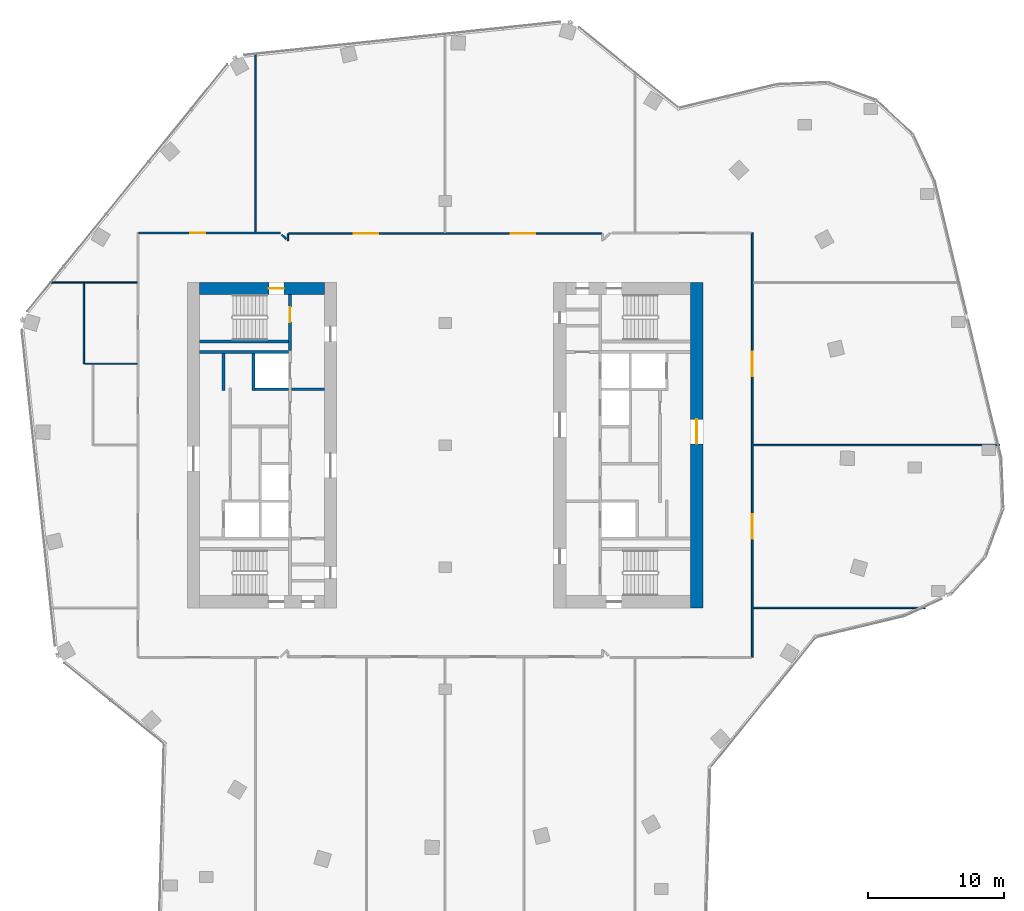
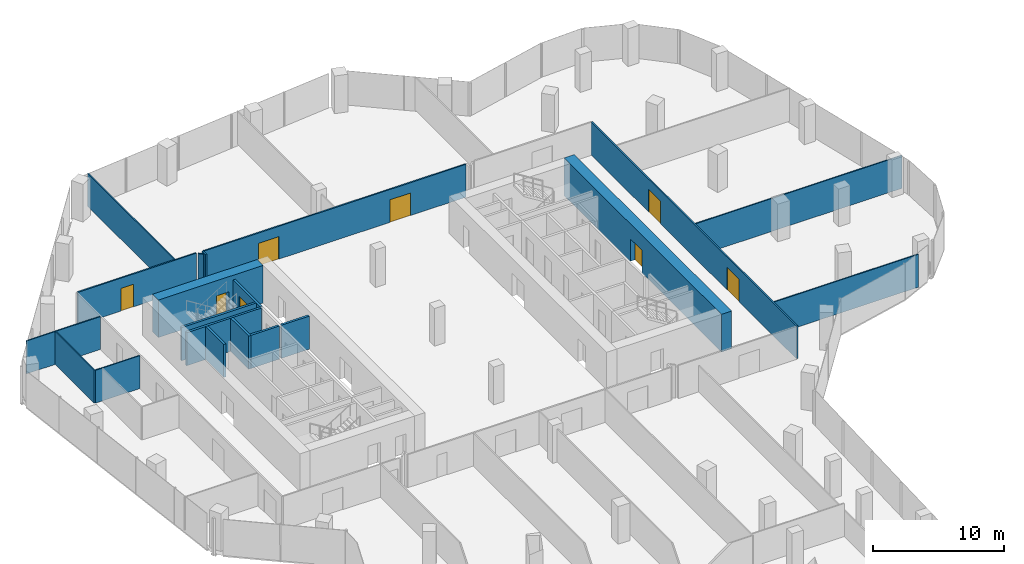
# One storey, part 22 of 26: 20 walls, 8 doors, 8 openings.
"""IFC4 building model written with IfcOpenShell, lengths in metres."""

from ifc_helpers import new_model, si_unit, direction, frame, frame_2d, origin, place, context, subcontext, project, spatial, rectangle, extrude, material, layer, layer_set, type_object, element, fill, save


model = new_model("IFC4")

# Units and contexts
model_context = context("Model", 3, precision=1e-05, world=origin(), true_north=direction((0.0, 1.0)))
body_context = subcontext(model_context, "Body", "Model", "MODEL_VIEW")
ifc_project = project(units=[si_unit("LENGTHUNIT", "METRE"), si_unit("AREAUNIT", "SQUARE_METRE"), si_unit("VOLUMEUNIT", "CUBIC_METRE"), si_unit("PLANEANGLEUNIT", "RADIAN"), si_unit("MASSUNIT", "GRAM", prefix="KILO")], contexts=[model_context])

# Site, building, storey
site_placement = place(None, origin())
site = spatial("IfcSite", under=ifc_project, at=site_placement, CompositionType="ELEMENT")
building_placement = place(site_placement, origin())
building = spatial("IfcBuilding", under=site, at=building_placement, Name="Orlundy Tower", CompositionType="ELEMENT")
storey_placement = place(building_placement, frame((0.0, 0.0, 214.0)))
storey = spatial("IfcBuildingStorey", under=building, at=storey_placement, Name="L56", CompositionType="ELEMENT", Elevation=214.0)

# Wall, opening, door
ifc_material_1 = material(Name="Concrete C60/75", Category="concrete")
ifc_layer_1 = layer(ifc_material_1, 0.89990234375)
ifc_layer_set_1 = layer_set([ifc_layer_1], Name="CORE WALL 900 C60/75")
wall_type_1 = type_object("IfcWallType", Name="CORE WALL 900 C60/75", PredefinedType="SHEAR", material=ifc_layer_set_1)
wall_1_placement = place(storey_placement, frame((-18.10009765625, 11.550048828125, 0.0), z_axis=(0.0, 0.0, 1.0), x_axis=(1.0, 0.0, 0.0)))
wall_1 = element("IfcWall", 1, at=wall_1_placement, inside=storey, type_object=wall_type_1, Name="Core wall W-N L56", PredefinedType="SHEAR", context=body_context, shape_type="SweptSolid", body=[
    extrude(rectangle(XDim=9.2001953125, YDim=0.89990234375, at=frame_2d((4.60009765625, 0.0))), origin(), (0.0, 0.0, 1.0), 3.5),
])
opening_1_placement = place(wall_1_placement, frame((5.10009765625, 0.0, 0.0)))
opening_1 = element("IfcOpeningElement", 2, at=opening_1_placement, cuts=wall_1, Name="Opening 43011", PredefinedType="OPENING", context=body_context, shape_type="SweptSolid", body=[
    extrude(rectangle(XDim=1.10009765625, YDim=2.10009765625, at=frame_2d((0.550048828125, 1.050048828125))), frame((0.0, 0.4599609375, 0.0), z_axis=(0.0, -1.0, 0.0), x_axis=(1.0, 0.0, 0.0)), (0.0, 0.0, 1.0), 0.919921875),
])
ifc_material_2 = material(Name="Steel door set", Category="steel")
door_type_1 = type_object("IfcDoorType", Name="Stair Door 1100x2100", OperationType="SINGLE_SWING_LEFT", PredefinedType="DOOR", material=ifc_material_2)
door_1_placement = place(opening_1_placement, origin())
door_1 = element("IfcDoor", 3, at=door_1_placement, inside=storey, type_object=door_type_1, Name="Stair door 43011", OperationType="SINGLE_SWING_RIGHT", OverallHeight=2.10009765625, OverallWidth=1.10009765625, PredefinedType="DOOR", context=body_context, shape_type="SweptSolid", body=[
    extrude(rectangle(XDim=1.10009765625, YDim=2.10009765625, at=frame_2d((0.550048828125, 1.050048828125))), frame((0.0, 0.02490234375, 0.0), z_axis=(0.0, -1.0, 0.0), x_axis=(1.0, 0.0, 0.0)), (0.0, 0.0, 1.0), 0.050048828125),
])
fill(opening_1, door_1)

wall_2_placement = place(storey_placement, frame((18.550048828125, -12.0, 0.0), z_axis=(0.0, 0.0, 1.0), x_axis=(0.0, 1.0, 0.0)))
wall_2 = element("IfcWall", 4, at=wall_2_placement, inside=storey, type_object=wall_type_1, Name="Core wall E-E L56", PredefinedType="SHEAR", context=body_context, shape_type="SweptSolid", body=[
    extrude(rectangle(XDim=24.0, YDim=0.89990234375, at=frame_2d((12.0, 0.0))), origin(), (0.0, 0.0, 1.0), 3.5),
])
opening_2_placement = place(wall_2_placement, frame((12.10009765625, 0.0, 0.0)))
opening_2 = element("IfcOpeningElement", 5, at=opening_2_placement, cuts=wall_2, Name="Opening 43058", PredefinedType="OPENING", context=body_context, shape_type="SweptSolid", body=[
    extrude(rectangle(XDim=1.800048828125, YDim=2.10009765625, at=frame_2d((0.89990234375, 1.050048828125))), frame((0.0, 0.4599609375, 0.0), z_axis=(0.0, -1.0, 0.0), x_axis=(1.0, 0.0, 0.0)), (0.0, 0.0, 1.0), 0.919921875),
])
ifc_material_3 = material(Name="Timber door set", Category="wood")
door_type_2 = type_object("IfcDoorType", Name="Lobby Door 1800x2100", OperationType="DOUBLE_DOOR_DOUBLE_SWING", PredefinedType="DOOR", material=ifc_material_3)
door_2_placement = place(opening_2_placement, origin())
door_2 = element("IfcDoor", 6, at=door_2_placement, inside=storey, type_object=door_type_2, Name="Lift lobby door 43058", OperationType="SINGLE_SWING_RIGHT", OverallHeight=2.10009765625, OverallWidth=1.800048828125, PredefinedType="DOOR", context=body_context, shape_type="SweptSolid", body=[
    extrude(rectangle(XDim=1.800048828125, YDim=2.10009765625, at=frame_2d((0.89990234375, 1.050048828125))), frame((0.0, 0.02490234375, 0.0), z_axis=(0.0, -1.0, 0.0), x_axis=(1.0, 0.0, 0.0)), (0.0, 0.0, 1.0), 0.050048828125),
])
fill(opening_2, door_2)

# Walls
ifc_material_4 = material(Name="Gypsum board partition")
ifc_layer_2 = layer(ifc_material_4, 0.10009765625)
ifc_layer_set_2 = layer_set([ifc_layer_2], Name="Floor partition 100")
wall_type_2 = type_object("IfcWallType", Name="Floor partition 100", PredefinedType="PARTITIONING", material=ifc_layer_set_2)
wall_3_placement = place(storey_placement, frame((22.712890625, -12.0, 0.0), z_axis=(0.0, 0.0, 1.0), x_axis=(1.0, 0.0, 0.0)))
element("IfcWall", 7, at=wall_3_placement, inside=storey, type_object=wall_type_2, Name="wall-int-L56-012", PredefinedType="PARTITIONING", context=body_context, shape_type="SweptSolid", body=[
    extrude(rectangle(XDim=12.68603515625, YDim=0.10009765625, at=frame_2d((6.343017578125, 0.0))), origin(), (0.0, 0.0, 1.0), 3.06005859375),
])
wall_4_placement = place(storey_placement, frame((22.712890625, 0.0, 0.0), z_axis=(0.0, 0.0, 1.0), x_axis=(1.0, 0.0, 0.0)))
element("IfcWall", 8, at=wall_4_placement, inside=storey, type_object=wall_type_2, Name="wall-int-L56-014", PredefinedType="PARTITIONING", context=body_context, shape_type="SweptSolid", body=[
    extrude(rectangle(XDim=18.1669921875, YDim=0.10009765625, at=frame_2d((9.08349609375, 0.0))), origin(), (0.0, 0.0, 1.0), 3.06005859375),
])
wall_5_placement = place(storey_placement, frame((-26.597900390625, 6.0009765625, 0.0), z_axis=(0.0, 0.0, 1.0), x_axis=(1.0, 0.0, 0.0)))
element("IfcWall", 9, at=wall_5_placement, inside=storey, type_object=wall_type_2, Name="wall-int-L56-015", PredefinedType="PARTITIONING", context=body_context, shape_type="SweptSolid", body=[
    extrude(rectangle(XDim=3.885986328125, YDim=0.10009765625, at=frame_2d((1.94287109375, 0.0))), origin(), (0.0, 0.0, 1.0), 3.06005859375),
])
wall_6_placement = place(storey_placement, frame((-29.20703125, 12.0, 0.0), z_axis=(0.0, 0.0, 1.0), x_axis=(1.0, 0.0, 0.0)))
element("IfcWall", 10, at=wall_6_placement, inside=storey, type_object=wall_type_2, Name="wall-int-L56-016", PredefinedType="PARTITIONING", context=body_context, shape_type="SweptSolid", body=[
    extrude(rectangle(XDim=6.4951171875, YDim=0.10009765625, at=frame_2d((3.24755859375, 0.0))), origin(), (0.0, 0.0, 1.0), 3.06005859375),
])
wall_7_placement = place(storey_placement, frame((-14.0, 15.712890625, 0.0), z_axis=(0.0, 0.0, 1.0), x_axis=(0.0, 1.0, 0.0)))
element("IfcWall", 11, at=wall_7_placement, inside=storey, type_object=wall_type_2, Name="wall-int-L56-034", PredefinedType="PARTITIONING", context=body_context, shape_type="SweptSolid", body=[
    extrude(rectangle(XDim=13.233154296875, YDim=0.10009765625, at=frame_2d((6.61669921875, 0.0))), origin(), (0.0, 0.0, 1.0), 3.06005859375),
])
wall_8_placement = place(storey_placement, frame((-26.64794921875, 6.0009765625, 0.0), z_axis=(0.0, 0.0, 1.0), x_axis=(0.0, 1.0, 0.0)))
element("IfcWall", 12, at=wall_8_placement, inside=storey, type_object=wall_type_2, Name="wall-int-L56-037", PredefinedType="PARTITIONING", context=body_context, shape_type="SweptSolid", body=[
    extrude(rectangle(XDim=5.948974609375, YDim=0.10009765625, at=frame_2d((2.974609375, 0.0))), origin(), (0.0, 0.0, 1.0), 3.06005859375),
])
ifc_material_5 = material(Name="Gypsum board partition, double layer")
ifc_layer_3 = layer(ifc_material_5, 0.125)
ifc_layer_set_3 = layer_set([ifc_layer_3], Name="Floor partition 125")
wall_type_3 = type_object("IfcWallType", Name="Floor partition 125", PredefinedType="PARTITIONING", material=ifc_layer_set_3)
wall_9_placement = place(storey_placement, frame((-12.0458984375, 15.52392578125, 0.0), z_axis=(0.0, 0.0, 1.0), x_axis=(0.707106781187, -0.707106781187, 0.0)))
element("IfcWall", 13, at=wall_9_placement, inside=storey, type_object=wall_type_3, Name="wall-int-L56-003", PredefinedType="PARTITIONING", context=body_context, shape_type="SweptSolid", body=[
    extrude(rectangle(XDim=0.449462890625, YDim=0.125, at=frame_2d((0.224609375, 0.0))), origin(), (0.0, 0.0, 1.0), 3.06005859375),
])

# Wall, openings, doors
wall_10_placement = place(storey_placement, frame((-11.537109375, 15.60107421875, 0.0), z_axis=(0.0, 0.0, 1.0), x_axis=(1.0, 0.0, 0.0)))
wall_10 = element("IfcWall", 14, at=wall_10_placement, inside=storey, type_object=wall_type_3, Name="wall-int-L56-018", PredefinedType="PARTITIONING", context=body_context, shape_type="SweptSolid", body=[
    extrude(rectangle(XDim=23.07421875, YDim=0.125, at=frame_2d((11.537109375, 0.0))), origin(), (0.0, 0.0, 1.0), 3.06005859375),
])
opening_3_placement = place(wall_10_placement, frame((16.387451171875, 0.0, 0.0)))
opening_3 = element("IfcOpeningElement", 15, at=opening_3_placement, cuts=wall_10, Name="Opening 43111", PredefinedType="OPENING", context=body_context, shape_type="SweptSolid", body=[
    extrude(rectangle(XDim=1.800048828125, YDim=2.10009765625, at=frame_2d((0.89990234375, 1.050048828125))), frame((0.0, 0.072509765625, 0.0), z_axis=(0.0, -1.0, 0.0), x_axis=(1.0, 0.0, 0.0)), (0.0, 0.0, 1.0), 0.14501953125),
])
opening_4_placement = place(wall_10_placement, frame((4.78759765625, 0.0, 0.0)))
opening_4 = element("IfcOpeningElement", 16, at=opening_4_placement, cuts=wall_10, Name="Opening 43112", PredefinedType="OPENING", context=body_context, shape_type="SweptSolid", body=[
    extrude(rectangle(XDim=1.800048828125, YDim=2.10009765625, at=frame_2d((0.89990234375, 1.050048828125))), frame((0.0, 0.072509765625, 0.0), z_axis=(0.0, -1.0, 0.0), x_axis=(1.0, 0.0, 0.0)), (0.0, 0.0, 1.0), 0.14501953125),
])
ifc_material_6 = material(Name="Timber door leaf", Category="wood")
door_type_3 = type_object("IfcDoorType", Name="Floor door double 1800 FD30S", OperationType="NOTDEFINED", PredefinedType="DOOR", material=ifc_material_6)
door_3_placement = place(opening_3_placement, origin())
door_3 = element("IfcDoor", 17, at=door_3_placement, inside=storey, type_object=door_type_3, Name="Door 43111", OperationType="DOUBLE_DOOR_SINGLE_SWING", OverallHeight=2.10009765625, OverallWidth=1.800048828125, PredefinedType="DOOR", context=body_context, shape_type="SweptSolid", body=[
    extrude(rectangle(XDim=1.800048828125, YDim=2.10009765625, at=frame_2d((0.89990234375, 1.050048828125))), frame((0.0, 0.02490234375, 0.0), z_axis=(0.0, -1.0, 0.0), x_axis=(1.0, 0.0, 0.0)), (0.0, 0.0, 1.0), 0.050048828125),
])
fill(opening_3, door_3)
door_4_placement = place(opening_4_placement, origin())
door_4 = element("IfcDoor", 18, at=door_4_placement, inside=storey, type_object=door_type_3, Name="Door 43112", OperationType="DOUBLE_DOOR_SINGLE_SWING", OverallHeight=2.10009765625, OverallWidth=1.800048828125, PredefinedType="DOOR", context=body_context, shape_type="SweptSolid", body=[
    extrude(rectangle(XDim=1.800048828125, YDim=2.10009765625, at=frame_2d((0.89990234375, 1.050048828125))), frame((0.0, 0.02490234375, 0.0), z_axis=(0.0, -1.0, 0.0), x_axis=(1.0, 0.0, 0.0)), (0.0, 0.0, 1.0), 0.050048828125),
])
fill(opening_4, door_4)

# Wall, opening, door
wall_11_placement = place(storey_placement, frame((-22.5869140625, 15.65087890625, 0.0), z_axis=(0.0, 0.0, 1.0), x_axis=(1.0, 0.0, 0.0)))
wall_11 = element("IfcWall", 19, at=wall_11_placement, inside=storey, type_object=wall_type_3, Name="wall-int-L56-019", PredefinedType="PARTITIONING", context=body_context, shape_type="SweptSolid", body=[
    extrude(rectangle(XDim=10.427001953125, YDim=0.125, at=frame_2d((5.21337890625, 0.0))), origin(), (0.0, 0.0, 1.0), 3.06005859375),
])
opening_5_placement = place(wall_11_placement, frame((3.78759765625, 0.0, 0.0)))
opening_5 = element("IfcOpeningElement", 20, at=opening_5_placement, cuts=wall_11, Name="Opening 43113", PredefinedType="OPENING", context=body_context, shape_type="SweptSolid", body=[
    extrude(rectangle(XDim=1.10009765625, YDim=2.10009765625, at=frame_2d((0.550048828125, 1.050048828125))), frame((0.0, 0.072509765625, 0.0), z_axis=(0.0, -1.0, 0.0), x_axis=(1.0, 0.0, 0.0)), (0.0, 0.0, 1.0), 0.14501953125),
])
ifc_material_7 = material(Name="Timber door leaf", Category="wood")
door_type_4 = type_object("IfcDoorType", Name="Floor door xwide 1100 FD30S", OperationType="NOTDEFINED", PredefinedType="DOOR", material=ifc_material_7)
door_5_placement = place(opening_5_placement, origin())
door_5 = element("IfcDoor", 21, at=door_5_placement, inside=storey, type_object=door_type_4, Name="Door 43113", OperationType="SINGLE_SWING_LEFT", OverallHeight=2.10009765625, OverallWidth=1.10009765625, PredefinedType="DOOR", context=body_context, shape_type="SweptSolid", body=[
    extrude(rectangle(XDim=1.10009765625, YDim=2.10009765625, at=frame_2d((0.550048828125, 1.050048828125))), frame((0.0, 0.02490234375, 0.0), z_axis=(0.0, -1.0, 0.0), x_axis=(1.0, 0.0, 0.0)), (0.0, 0.0, 1.0), 0.050048828125),
])
fill(opening_5, door_5)

# Wall
wall_12_placement = place(storey_placement, frame((-11.60107421875, 15.092041015625, 0.0), z_axis=(0.0, 0.0, 1.0), x_axis=(0.00192214926, 0.999998152669, 0.0)))
element("IfcWall", 22, at=wall_12_placement, inside=storey, type_object=wall_type_3, Name="wall-int-L56-023", PredefinedType="PARTITIONING", context=body_context, shape_type="SweptSolid", body=[
    extrude(rectangle(XDim=0.508056640625, YDim=0.125, at=frame_2d((0.25390625, 0.0))), origin(), (0.0, 0.0, 1.0), 3.06005859375),
])

# Wall, openings, doors
wall_13_placement = place(storey_placement, frame((22.65087890625, 15.64990234375, 0.0), z_axis=(0.0, 0.0, 1.0), x_axis=(0.0, -1.0, 0.0)))
wall_13 = element("IfcWall", 23, at=wall_13_placement, inside=storey, type_object=wall_type_3, Name="wall-int-L56-024", PredefinedType="PARTITIONING", context=body_context, shape_type="SweptSolid", body=[
    extrude(rectangle(XDim=31.2998046875, YDim=0.125, at=frame_2d((15.64990234375, 0.0))), origin(), (0.0, 0.0, 1.0), 3.06005859375),
])
opening_6_placement = place(wall_13_placement, frame((20.75, 0.0, 0.0)))
opening_6 = element("IfcOpeningElement", 24, at=opening_6_placement, cuts=wall_13, Name="Opening 43108", PredefinedType="OPENING", context=body_context, shape_type="SweptSolid", body=[
    extrude(rectangle(XDim=1.800048828125, YDim=2.10009765625, at=frame_2d((0.89990234375, 1.050048828125))), frame((0.0, 0.072509765625, 0.0), z_axis=(0.0, -1.0, 0.0), x_axis=(1.0, 0.0, 0.0)), (0.0, 0.0, 1.0), 0.14501953125),
])
opening_7_placement = place(wall_13_placement, frame((8.75, 0.0, 0.0)))
opening_7 = element("IfcOpeningElement", 25, at=opening_7_placement, cuts=wall_13, Name="Opening 43109", PredefinedType="OPENING", context=body_context, shape_type="SweptSolid", body=[
    extrude(rectangle(XDim=1.800048828125, YDim=2.10009765625, at=frame_2d((0.89990234375, 1.050048828125))), frame((0.0, 0.072509765625, 0.0), z_axis=(0.0, -1.0, 0.0), x_axis=(1.0, 0.0, 0.0)), (0.0, 0.0, 1.0), 0.14501953125),
])
door_6_placement = place(opening_6_placement, origin())
door_6 = element("IfcDoor", 26, at=door_6_placement, inside=storey, type_object=door_type_3, Name="Door 43108", OperationType="DOUBLE_DOOR_SINGLE_SWING", OverallHeight=2.10009765625, OverallWidth=1.800048828125, PredefinedType="DOOR", context=body_context, shape_type="SweptSolid", body=[
    extrude(rectangle(XDim=1.800048828125, YDim=2.10009765625, at=frame_2d((0.89990234375, 1.050048828125))), frame((0.0, 0.02490234375, 0.0), z_axis=(0.0, -1.0, 0.0), x_axis=(1.0, 0.0, 0.0)), (0.0, 0.0, 1.0), 0.050048828125),
])
fill(opening_6, door_6)
door_7_placement = place(opening_7_placement, origin())
door_7 = element("IfcDoor", 27, at=door_7_placement, inside=storey, type_object=door_type_3, Name="Door 43109", OperationType="DOUBLE_DOOR_SINGLE_SWING", OverallHeight=2.10009765625, OverallWidth=1.800048828125, PredefinedType="DOOR", context=body_context, shape_type="SweptSolid", body=[
    extrude(rectangle(XDim=1.800048828125, YDim=2.10009765625, at=frame_2d((0.89990234375, 1.050048828125))), frame((0.0, 0.02490234375, 0.0), z_axis=(0.0, -1.0, 0.0), x_axis=(1.0, 0.0, 0.0)), (0.0, 0.0, 1.0), 0.050048828125),
])
fill(opening_7, door_7)

# Wall, opening, door
ifc_material_8 = material(Name="Concrete C40/50", Category="concrete")
ifc_layer_4 = layer(ifc_material_8, 0.199951171875)
ifc_layer_set_4 = layer_set([ifc_layer_4], Name="Load-bearing Shaft Wall 200")
wall_type_4 = type_object("IfcWallType", Name="Load-bearing Shaft Wall 200", PredefinedType="SOLIDWALL", material=ifc_layer_set_4)
wall_14_placement = place(storey_placement, frame((-11.43994140625, 6.97509765625, 0.0), z_axis=(0.0, 0.0, 1.0), x_axis=(0.0, 1.0, 0.0)))
wall_14 = element("IfcWall", 28, at=wall_14_placement, inside=storey, type_object=wall_type_4, Name="Shaft wall W43-stair-end-n", PredefinedType="SOLIDWALL", context=body_context, shape_type="SweptSolid", body=[
    extrude(rectangle(XDim=4.125, YDim=0.199951171875, at=frame_2d((2.0625, 0.0))), origin(), (0.0, 0.0, 1.0), 3.080078125),
])
opening_8_placement = place(wall_14_placement, frame((2.10009765625, 0.0, 0.0)))
opening_8 = element("IfcOpeningElement", 29, at=opening_8_placement, cuts=wall_14, Name="Opening 43013", PredefinedType="OPENING", context=body_context, shape_type="SweptSolid", body=[
    extrude(rectangle(XDim=1.10009765625, YDim=2.10009765625, at=frame_2d((0.550048828125, 1.050048828125))), frame((0.0, 0.110107421875, 0.0), z_axis=(0.0, -1.0, 0.0), x_axis=(1.0, 0.0, 0.0)), (0.0, 0.0, 1.0), 0.22021484375),
])
ifc_material_9 = material(Name="Steel door set", Category="steel")
door_type_5 = type_object("IfcDoorType", Name="Fire-fighting Lobby Door 1100x2100", OperationType="SINGLE_SWING_LEFT", PredefinedType="DOOR", material=ifc_material_9)
door_8_placement = place(opening_8_placement, origin())
door_8 = element("IfcDoor", 30, at=door_8_placement, inside=storey, type_object=door_type_5, Name="Fire-fighting lobby to stair door 43013", OperationType="SINGLE_SWING_RIGHT", OverallHeight=2.10009765625, OverallWidth=1.10009765625, PredefinedType="DOOR", context=body_context, shape_type="SweptSolid", body=[
    extrude(rectangle(XDim=1.10009765625, YDim=2.10009765625, at=frame_2d((0.550048828125, 1.050048828125))), frame((0.0, 0.02490234375, 0.0), z_axis=(0.0, -1.0, 0.0), x_axis=(1.0, 0.0, 0.0)), (0.0, 0.0, 1.0), 0.050048828125),
])
fill(opening_8, door_8)

# Walls
wall_15_placement = place(storey_placement, frame((-11.5400390625, 7.64990234375, 0.0), z_axis=(0.0, 0.0, 1.0), x_axis=(-1.0, 0.0, 0.0)))
element("IfcWall", 31, at=wall_15_placement, inside=storey, type_object=wall_type_4, Name="Shaft wall W43-stair-side-n", PredefinedType="SOLIDWALL", context=body_context, shape_type="SweptSolid", body=[
    extrude(rectangle(XDim=6.56005859375, YDim=0.199951171875, at=frame_2d((3.280029296875, 0.0))), origin(), (0.0, 0.0, 1.0), 3.080078125),
])
ifc_material_10 = material(Name="Gypsum board partition on steel studs", Category="steel")
ifc_layer_5 = layer(ifc_material_10, 0.199951171875)
ifc_layer_set_5 = layer_set([ifc_layer_5], Name="Partition 200")
wall_type_5 = type_object("IfcWallType", Name="Partition 200", PredefinedType="PARTITIONING", material=ifc_layer_set_5)
wall_16_placement = place(storey_placement, frame((-8.89990234375, 4.125, 0.0), z_axis=(0.0, 0.0, 1.0), x_axis=(-1.0, 0.0, 0.0)))
element("IfcWall", 32, at=wall_16_placement, inside=storey, type_object=wall_type_5, Name="Partition wall W43-lobby-n", PredefinedType="PARTITIONING", context=body_context, shape_type="SweptSolid", body=[
    extrude(rectangle(XDim=2.440185546875, YDim=0.199951171875, at=frame_2d((1.22021484375, 0.0))), origin(), (0.0, 0.0, 1.0), 3.080078125),
])
ifc_material_11 = material(Name="Fire-rated blockwork shaft wall", Category="masonry")
ifc_layer_6 = layer(ifc_material_11, 0.199951171875)
ifc_layer_set_6 = layer_set([ifc_layer_6], Name="Shaft Wall 200")
wall_type_6 = type_object("IfcWallType", Name="Shaft Wall 200", PredefinedType="SOLIDWALL", material=ifc_layer_set_6)
wall_17_placement = place(storey_placement, frame((-11.5400390625, 6.875, 0.0), z_axis=(0.0, 0.0, 1.0), x_axis=(-1.0, 0.0, 0.0)))
element("IfcWall", 33, at=wall_17_placement, inside=storey, type_object=wall_type_6, Name="Shaft wall W43-zone-n", PredefinedType="SOLIDWALL", context=body_context, shape_type="SweptSolid", body=[
    extrude(rectangle(XDim=6.56005859375, YDim=0.199951171875, at=frame_2d((3.280029296875, 0.0))), origin(), (0.0, 0.0, 1.0), 3.080078125),
])
wall_18_placement = place(storey_placement, frame((-11.5400390625, 4.125, 0.0), z_axis=(0.0, 0.0, 1.0), x_axis=(-1.0, 0.0, 0.0)))
element("IfcWall", 34, at=wall_18_placement, inside=storey, type_object=wall_type_6, Name="Shaft wall W43-cross+4.125", PredefinedType="SOLIDWALL", context=body_context, shape_type="SweptSolid", body=[
    extrude(rectangle(XDim=2.5, YDim=0.199951171875, at=frame_2d((1.25, 0.0))), origin(), (0.0, 0.0, 1.0), 3.080078125),
])
for number, where, z_axis, x_axis, name in (
    (35, (-14.139892578125, 4.02490234375, 0.0), (0.0, 0.0, 1.0), (0.0, 1.0, 0.0), "Shaft wall W43-mid-b"),
    (36, (-16.340087890625, 4.02490234375, 0.0), (0.0, 0.0, 1.0), (0.0, 1.0, 0.0), "Shaft wall W43-front-o-c"),
):
    element("IfcWall", number, at=place(storey_placement, frame(where, z_axis=z_axis, x_axis=x_axis)), inside=storey, type_object=wall_type_6, Name=name, PredefinedType="SOLIDWALL", context=body_context, shape_type="SweptSolid", body=[
        extrude(rectangle(XDim=2.75, YDim=0.199951171875, at=frame_2d((1.375, 0.0))), origin(), (0.0, 0.0, 1.0), 3.080078125),
    ])

save(model, "model.ifc")
